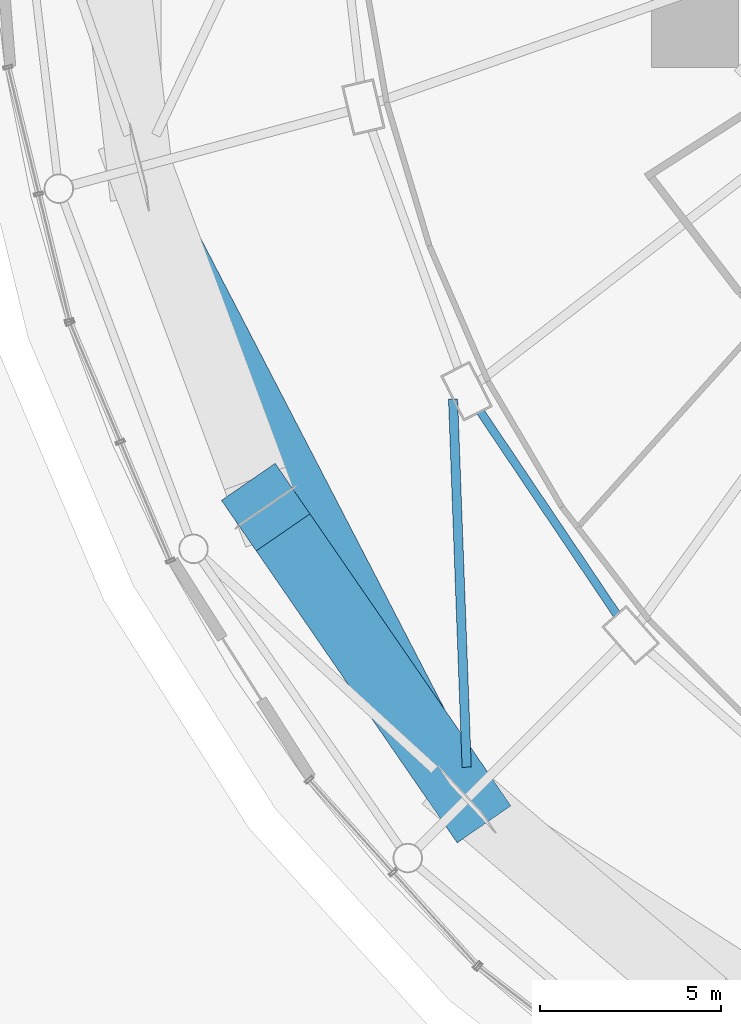
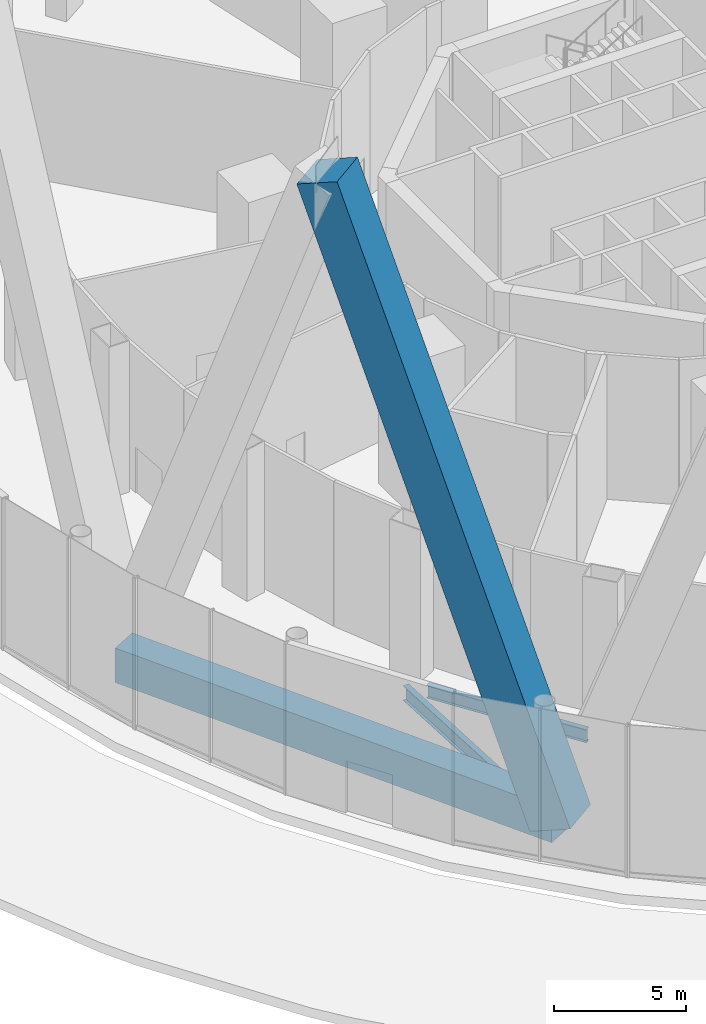
# One storey, part 7 of 67: 2 beams, 2 members.
"""IFC4 building model written with IfcOpenShell, lengths in metres."""

from ifc_helpers import new_model, si_unit, direction, frame, origin, origin_2d, place, context, subcontext, project, spatial, rectangle, i_section, extrude, material, material_profile, profile_set, type_object, element, save


model = new_model("IFC4")

# Units and contexts
model_context = context("Model", 3, precision=1e-05, world=origin(), true_north=direction((0.0, 1.0)))
body_context = subcontext(model_context, "Body", "Model", "MODEL_VIEW")
ifc_project = project(units=[si_unit("LENGTHUNIT", "METRE"), si_unit("AREAUNIT", "SQUARE_METRE"), si_unit("VOLUMEUNIT", "CUBIC_METRE"), si_unit("PLANEANGLEUNIT", "RADIAN"), si_unit("MASSUNIT", "GRAM", prefix="KILO")], contexts=[model_context])

# Site, building, storey
site_placement = place(None, origin())
site = spatial("IfcSite", under=ifc_project, at=site_placement, CompositionType="ELEMENT")
building_placement = place(site_placement, origin())
building = spatial("IfcBuilding", under=site, at=building_placement, Name="Nagisa Residences", CompositionType="ELEMENT")
storey_placement = place(building_placement, origin())
storey = spatial("IfcBuildingStorey", under=building, at=storey_placement, Name="L00", CompositionType="ELEMENT", Elevation=0.0)

# Beam
ifc_material_1 = material(Name="Steel ASTM A572 Gr 50", Category="steel")
ifc_material_profile_1 = material_profile(ifc_material_1, i_section(OverallWidth=0.2529296875, OverallDepth=0.677978515625, WebThickness=0.01171875, FlangeThickness=0.016357421875, at=origin_2d()), Name="W690x125")
ifc_profile_set_1 = profile_set([ifc_material_profile_1], Name="Steel ASTM A572 Gr 50")
beam_type_1 = type_object("IfcBeamType", Name="Atrium outer beam W690x125", PredefinedType="BEAM", material=ifc_profile_set_1)
beam_1_placement = place(storey_placement, frame((-21.45458984375, -16.46533203125, -0.739013671875), z_axis=(0.037000115753, -0.999315261284, 0.0), x_axis=(0.999315261284, 0.037000115753, 0.0)))
element("IfcBeam", 1, at=beam_1_placement, inside=storey, type_object=beam_type_1, Name="beam:L00:er15a", PredefinedType="BEAM", context=body_context, shape_type="SweptSolid", body=[
    extrude(i_section(OverallWidth=0.2529296875, OverallDepth=0.677978515625, WebThickness=0.01171875, FlangeThickness=0.016357421875, at=origin_2d()), origin(), (0.0, 0.0, 1.0), 10.168212890625),
])

# Members
ifc_material_2 = material(Name="Concrete C80", Category="concrete")
ifc_material_profile_2 = material_profile(ifc_material_2, rectangle(XDim=1.800048828125, YDim=1.800048828125, at=origin_2d()), Name="C80 1800x1800")
ifc_profile_set_2 = profile_set([ifc_material_profile_2], Name="Concrete C80")
member_type_1 = type_object("IfcMemberType", Name="Cage diagonal 1 C80 1800x1800", PredefinedType="BRACE", material=ifc_profile_set_2)
member_1_placement = place(storey_placement, frame((-21.078125, -27.50634765625, 0.0), z_axis=(-0.193131089396, 0.280544650217, 0.940210126271), x_axis=(-0.823689993177, -0.567040382284, 0.0)))
element("IfcMember", 2, at=member_1_placement, inside=storey, type_object=member_type_1, Name="mem:L00:cg1d015", PredefinedType="BRACE", context=body_context, shape_type="SweptSolid", body=[
    extrude(rectangle(XDim=1.800048828125, YDim=1.800048828125, at=origin_2d()), origin(), (0.0, 0.0, 1.0), 28.717041015625),
])
ifc_material_3 = material(Name="Concrete C80", Category="concrete")
ifc_material_profile_3 = material_profile(ifc_material_3, rectangle(XDim=1.199951171875, YDim=1.60009765625, at=origin_2d()), Name="C80 1200x1600")
ifc_profile_set_3 = profile_set([ifc_material_profile_3], Name="Concrete C80")
member_type_2 = type_object("IfcMemberType", Name="Cage ring 1 C80 1200x1600", PredefinedType="CHORD", material=ifc_profile_set_3)
member_2_placement = place(storey_placement, frame((-30.11083984375, -10.068115234375, 0.0), z_axis=(0.459942644768, -0.887948626624, 0.0), x_axis=(0.887948626624, 0.459942644768, 0.0)))
element("IfcMember", 3, at=member_2_placement, inside=storey, type_object=member_type_2, Name="beam:L00:cg1r007", PredefinedType="CHORD", context=body_context, shape_type="SweptSolid", body=[
    extrude(rectangle(XDim=1.199951171875, YDim=1.60009765625, at=origin_2d()), origin(), (0.0, 0.0, 1.0), 19.638671875),
])

# Beam
ifc_material_4 = material(Name="Steel ASTM A572 Gr 50", Category="steel")
ifc_material_profile_4 = material_profile(ifc_material_4, i_section(OverallWidth=0.22802734375, OverallDepth=0.60302734375, WebThickness=0.010498046875, FlangeThickness=0.014892578125, at=origin_2d()), Name="W610x101")
ifc_profile_set_4 = profile_set([ifc_material_profile_4], Name="Steel ASTM A572 Gr 50")
beam_type_2 = type_object("IfcBeamType", Name="Perimeter ring beam W610x101", PredefinedType="BEAM", material=ifc_profile_set_4)
beam_2_placement = place(storey_placement, frame((-20.69921875, -16.818603515625, -0.701416015625), z_axis=(0.558296806041, -0.829641293792, 0.0), x_axis=(0.829641293792, 0.558296806041, 0.0)))
element("IfcBeam", 4, at=beam_2_placement, inside=storey, type_object=beam_type_2, Name="beam:L00:pb15", PredefinedType="BEAM", context=body_context, shape_type="SweptSolid", body=[
    extrude(i_section(OverallWidth=0.22802734375, OverallDepth=0.60302734375, WebThickness=0.010498046875, FlangeThickness=0.014892578125, at=origin_2d()), origin(), (0.0, 0.0, 1.0), 6.74169921875),
])

save(model, "model.ifc")
